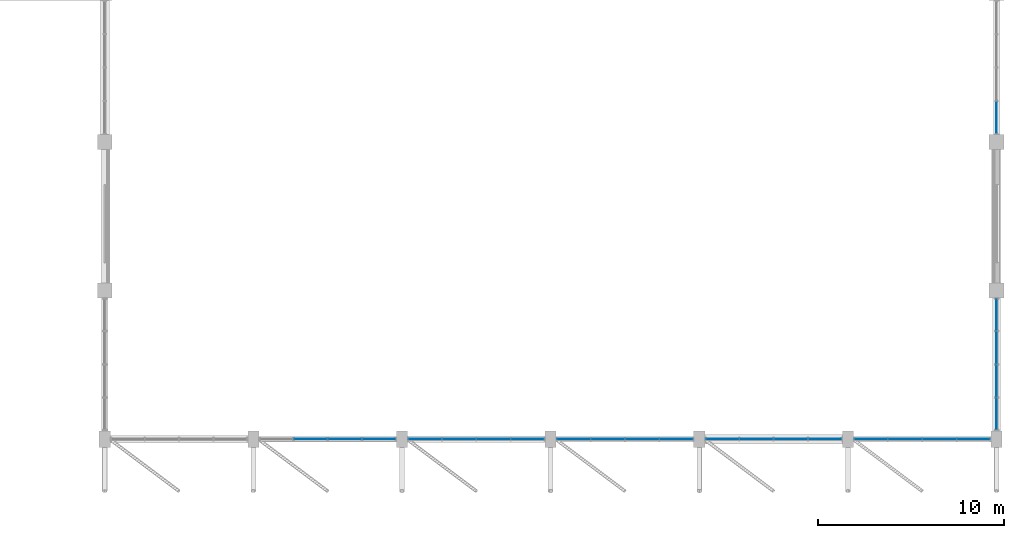
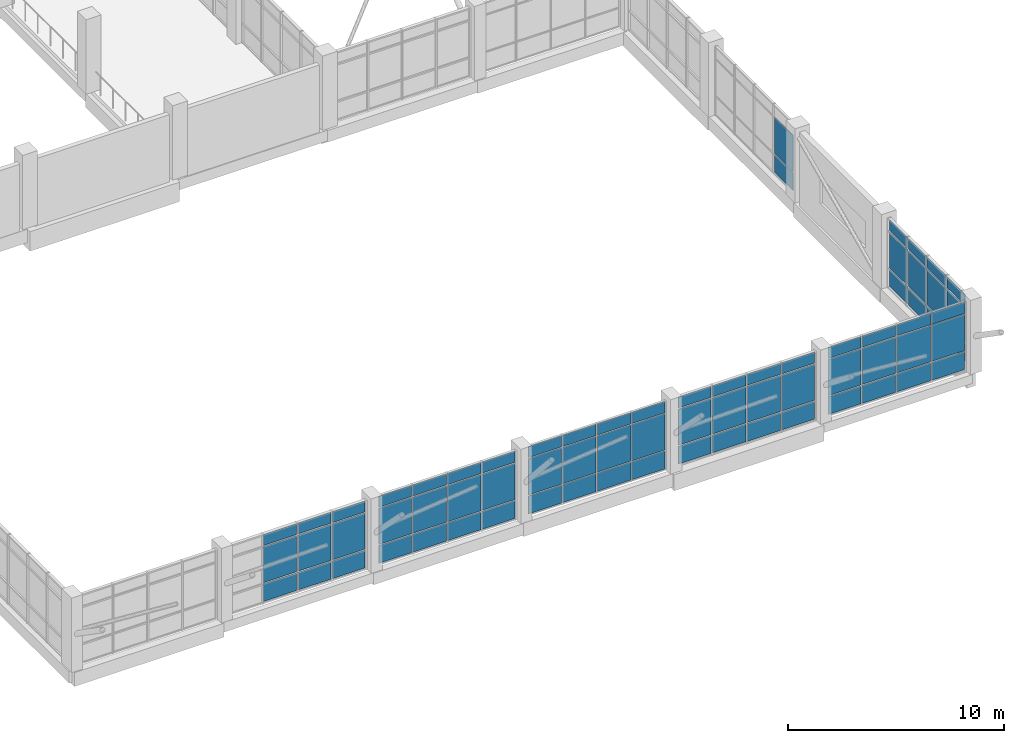
# One storey, part 67 of 84: 71 plates, 7 elements without a shape of their own.
"""IFC4 building model written with IfcOpenShell, lengths in metres."""

from ifc_helpers import new_model, si_unit, direction, frame, origin, origin_2d, place, context, subcontext, project, spatial, rectangle, extrude, material, layer, layer_set, type_object, element, aggregate, save


model = new_model("IFC4")

# Units and contexts
model_context = context("Model", 3, precision=1e-05, world=origin(), true_north=direction((0.0, 1.0)))
body_context = subcontext(model_context, "Body", "Model", "MODEL_VIEW")
ifc_project = project(units=[si_unit("LENGTHUNIT", "METRE"), si_unit("AREAUNIT", "SQUARE_METRE"), si_unit("VOLUMEUNIT", "CUBIC_METRE"), si_unit("PLANEANGLEUNIT", "RADIAN"), si_unit("MASSUNIT", "GRAM", prefix="KILO")], contexts=[model_context])

# Site, building, storey
site_placement = place(None, origin())
site = spatial("IfcSite", under=ifc_project, at=site_placement, CompositionType="ELEMENT")
building_placement = place(site_placement, origin())
building = spatial("IfcBuilding", under=site, at=building_placement, Name="Tenunan Teduh Sports Hall", CompositionType="ELEMENT")
storey_placement = place(building_placement, frame((0.0, 0.0, 10.800048828125)))
storey = spatial("IfcBuildingStorey", under=building, at=storey_placement, Name="L02", CompositionType="ELEMENT", Elevation=10.800048828125)

# Curtain wall, plates
ifc_material_1 = material(Name="Anodised aluminium", Category="aluminium")
curtain_wall_type_1 = type_object("IfcCurtainWallType", Name="CW-CLER-1", PredefinedType="NOTDEFINED", material=ifc_material_1)
curtain_wall_1_placement = place(storey_placement, origin())
curtain_wall_1 = element("IfcCurtainWall", 1, at=curtain_wall_1_placement, inside=storey, type_object=curtain_wall_type_1, Name="CW-CWM-175-L02-022", PredefinedType="NOTDEFINED")
ifc_material_2 = material(Name="Low-E laminated double glazing", Category="glass")
ifc_layer_1 = layer(ifc_material_2, 0.028076171875)
ifc_layer_set_1 = layer_set([ifc_layer_1], Name="Low-E laminated double glazing")
plate_type_1 = type_object("IfcPlateType", Name="CWP-GLZ-28", PredefinedType="CURTAIN_PANEL", material=ifc_layer_set_1)
plate_1_placement = place(storey_placement, frame((139.2412109375, 14.0, 1.13232421875), z_axis=(0.0, 0.0, 1.0), x_axis=(1.0, 0.0, 0.0)))
plate_1 = element("IfcPlate", 2, at=plate_1_placement, type_object=plate_type_1, Name="CW-03 panel 1.2", PredefinedType="CURTAIN_PANEL", context=body_context, shape_type="SweptSolid", body=[
    extrude(rectangle(XDim=1.75244140625, YDim=0.028076171875, at=origin_2d()), origin(), (0.0, 0.0, 1.0), 2.034912109375),
])
plate_2_placement = place(storey_placement, frame((139.2412109375, 14.0, 3.232421875), z_axis=(0.0, 0.0, 1.0), x_axis=(1.0, 0.0, 0.0)))
plate_2 = element("IfcPlate", 3, at=plate_2_placement, type_object=plate_type_1, Name="CW-03 panel 1.3", PredefinedType="CURTAIN_PANEL", context=body_context, shape_type="SweptSolid", body=[
    extrude(rectangle(XDim=1.75244140625, YDim=0.028076171875, at=origin_2d()), origin(), (0.0, 0.0, 1.0), 0.62255859375),
])
plate_3_placement = place(storey_placement, frame((141.074951171875, 14.0, 1.13232421875), z_axis=(0.0, 0.0, 1.0), x_axis=(1.0, 0.0, 0.0)))
plate_3 = element("IfcPlate", 4, at=plate_3_placement, type_object=plate_type_1, Name="CW-03 panel 2.2", PredefinedType="CURTAIN_PANEL", context=body_context, shape_type="SweptSolid", body=[
    extrude(rectangle(XDim=1.784912109375, YDim=0.028076171875, at=origin_2d()), origin(), (0.0, 0.0, 1.0), 2.034912109375),
])
plate_4_placement = place(storey_placement, frame((141.074951171875, 14.0, 3.232421875), z_axis=(0.0, 0.0, 1.0), x_axis=(1.0, 0.0, 0.0)))
plate_4 = element("IfcPlate", 5, at=plate_4_placement, type_object=plate_type_1, Name="CW-03 panel 2.3", PredefinedType="CURTAIN_PANEL", context=body_context, shape_type="SweptSolid", body=[
    extrude(rectangle(XDim=1.784912109375, YDim=0.028076171875, at=origin_2d()), origin(), (0.0, 0.0, 1.0), 0.62255859375),
])
plate_5_placement = place(storey_placement, frame((142.925048828125, 14.0, 1.13232421875), z_axis=(0.0, 0.0, 1.0), x_axis=(1.0, 0.0, 0.0)))
plate_5 = element("IfcPlate", 6, at=plate_5_placement, type_object=plate_type_1, Name="CW-03 panel 3.2", PredefinedType="CURTAIN_PANEL", context=body_context, shape_type="SweptSolid", body=[
    extrude(rectangle(XDim=1.784912109375, YDim=0.028076171875, at=origin_2d()), origin(), (0.0, 0.0, 1.0), 2.034912109375),
])
plate_6_placement = place(storey_placement, frame((142.925048828125, 14.0, 3.232421875), z_axis=(0.0, 0.0, 1.0), x_axis=(1.0, 0.0, 0.0)))
plate_6 = element("IfcPlate", 7, at=plate_6_placement, type_object=plate_type_1, Name="CW-03 panel 3.3", PredefinedType="CURTAIN_PANEL", context=body_context, shape_type="SweptSolid", body=[
    extrude(rectangle(XDim=1.784912109375, YDim=0.028076171875, at=origin_2d()), origin(), (0.0, 0.0, 1.0), 0.62255859375),
])
plate_7_placement = place(storey_placement, frame((144.7587890625, 14.0, 1.13232421875), z_axis=(0.0, 0.0, 1.0), x_axis=(1.0, 0.0, 0.0)))
plate_7 = element("IfcPlate", 8, at=plate_7_placement, type_object=plate_type_1, Name="CW-03 panel 4.2", PredefinedType="CURTAIN_PANEL", context=body_context, shape_type="SweptSolid", body=[
    extrude(rectangle(XDim=1.75244140625, YDim=0.028076171875, at=origin_2d()), origin(), (0.0, 0.0, 1.0), 2.034912109375),
])
plate_8_placement = place(storey_placement, frame((144.7587890625, 14.0, 3.232421875), z_axis=(0.0, 0.0, 1.0), x_axis=(1.0, 0.0, 0.0)))
plate_8 = element("IfcPlate", 9, at=plate_8_placement, type_object=plate_type_1, Name="CW-03 panel 4.3", PredefinedType="CURTAIN_PANEL", context=body_context, shape_type="SweptSolid", body=[
    extrude(rectangle(XDim=1.75244140625, YDim=0.028076171875, at=origin_2d()), origin(), (0.0, 0.0, 1.0), 0.62255859375),
])

curtain_wall_2_placement = place(storey_placement, origin())
curtain_wall_2 = element("IfcCurtainWall", 10, at=curtain_wall_2_placement, inside=storey, type_object=curtain_wall_type_1, Name="CW-CWM-200-L02-024", PredefinedType="NOTDEFINED")
plate_9_placement = place(storey_placement, frame((155.242431640625, 14.0, 1.134765625), z_axis=(0.0, 0.0, 1.0), x_axis=(1.0, 0.0, 0.0)))
plate_9 = element("IfcPlate", 11, at=plate_9_placement, type_object=plate_type_1, Name="CW-03 panel 1.2", PredefinedType="CURTAIN_PANEL", context=body_context, shape_type="SweptSolid", body=[
    extrude(rectangle(XDim=1.7451171875, YDim=0.028076171875, at=origin_2d()), origin(), (0.0, 0.0, 1.0), 2.030029296875),
])
plate_10_placement = place(storey_placement, frame((155.242431640625, 14.0, 3.23486328125), z_axis=(0.0, 0.0, 1.0), x_axis=(1.0, 0.0, 0.0)))
plate_10 = element("IfcPlate", 12, at=plate_10_placement, type_object=plate_type_1, Name="CW-03 panel 1.3", PredefinedType="CURTAIN_PANEL", context=body_context, shape_type="SweptSolid", body=[
    extrude(rectangle(XDim=1.7451171875, YDim=0.028076171875, at=origin_2d()), origin(), (0.0, 0.0, 1.0), 0.614990234375),
])
plate_11_placement = place(storey_placement, frame((157.074951171875, 14.0, 1.134765625), z_axis=(0.0, 0.0, 1.0), x_axis=(1.0, 0.0, 0.0)))
plate_11 = element("IfcPlate", 13, at=plate_11_placement, type_object=plate_type_1, Name="CW-03 panel 2.2", PredefinedType="CURTAIN_PANEL", context=body_context, shape_type="SweptSolid", body=[
    extrude(rectangle(XDim=1.780029296875, YDim=0.028076171875, at=origin_2d()), origin(), (0.0, 0.0, 1.0), 2.030029296875),
])
plate_12_placement = place(storey_placement, frame((157.074951171875, 14.0, 3.23486328125), z_axis=(0.0, 0.0, 1.0), x_axis=(1.0, 0.0, 0.0)))
plate_12 = element("IfcPlate", 14, at=plate_12_placement, type_object=plate_type_1, Name="CW-03 panel 2.3", PredefinedType="CURTAIN_PANEL", context=body_context, shape_type="SweptSolid", body=[
    extrude(rectangle(XDim=1.780029296875, YDim=0.028076171875, at=origin_2d()), origin(), (0.0, 0.0, 1.0), 0.614990234375),
])
plate_13_placement = place(storey_placement, frame((158.925048828125, 14.0, 1.134765625), z_axis=(0.0, 0.0, 1.0), x_axis=(1.0, 0.0, 0.0)))
plate_13 = element("IfcPlate", 15, at=plate_13_placement, type_object=plate_type_1, Name="CW-03 panel 3.2", PredefinedType="CURTAIN_PANEL", context=body_context, shape_type="SweptSolid", body=[
    extrude(rectangle(XDim=1.780029296875, YDim=0.028076171875, at=origin_2d()), origin(), (0.0, 0.0, 1.0), 2.030029296875),
])
plate_14_placement = place(storey_placement, frame((158.925048828125, 14.0, 3.23486328125), z_axis=(0.0, 0.0, 1.0), x_axis=(1.0, 0.0, 0.0)))
plate_14 = element("IfcPlate", 16, at=plate_14_placement, type_object=plate_type_1, Name="CW-03 panel 3.3", PredefinedType="CURTAIN_PANEL", context=body_context, shape_type="SweptSolid", body=[
    extrude(rectangle(XDim=1.780029296875, YDim=0.028076171875, at=origin_2d()), origin(), (0.0, 0.0, 1.0), 0.614990234375),
])
plate_15_placement = place(storey_placement, frame((160.757568359375, 14.0, 1.134765625), z_axis=(0.0, 0.0, 1.0), x_axis=(1.0, 0.0, 0.0)))
plate_15 = element("IfcPlate", 17, at=plate_15_placement, type_object=plate_type_1, Name="CW-03 panel 4.2", PredefinedType="CURTAIN_PANEL", context=body_context, shape_type="SweptSolid", body=[
    extrude(rectangle(XDim=1.7451171875, YDim=0.028076171875, at=origin_2d()), origin(), (0.0, 0.0, 1.0), 2.030029296875),
])
plate_16_placement = place(storey_placement, frame((160.757568359375, 14.0, 3.23486328125), z_axis=(0.0, 0.0, 1.0), x_axis=(1.0, 0.0, 0.0)))
plate_16 = element("IfcPlate", 18, at=plate_16_placement, type_object=plate_type_1, Name="CW-03 panel 4.3", PredefinedType="CURTAIN_PANEL", context=body_context, shape_type="SweptSolid", body=[
    extrude(rectangle(XDim=1.7451171875, YDim=0.028076171875, at=origin_2d()), origin(), (0.0, 0.0, 1.0), 0.614990234375),
])

curtain_wall_3_placement = place(storey_placement, origin())
curtain_wall_3 = element("IfcCurtainWall", 19, at=curtain_wall_3_placement, inside=storey, type_object=curtain_wall_type_1, Name="CW-CWM-175-L02-026", PredefinedType="NOTDEFINED")
plate_17_placement = place(storey_placement, frame((163.2412109375, 14.0, 1.13232421875), z_axis=(0.0, 0.0, 1.0), x_axis=(1.0, 0.0, 0.0)))
plate_17 = element("IfcPlate", 20, at=plate_17_placement, type_object=plate_type_1, Name="CW-03 panel 1.2", PredefinedType="CURTAIN_PANEL", context=body_context, shape_type="SweptSolid", body=[
    extrude(rectangle(XDim=1.75244140625, YDim=0.028076171875, at=origin_2d()), origin(), (0.0, 0.0, 1.0), 2.034912109375),
])
plate_18_placement = place(storey_placement, frame((163.2412109375, 14.0, 3.232421875), z_axis=(0.0, 0.0, 1.0), x_axis=(1.0, 0.0, 0.0)))
plate_18 = element("IfcPlate", 21, at=plate_18_placement, type_object=plate_type_1, Name="CW-03 panel 1.3", PredefinedType="CURTAIN_PANEL", context=body_context, shape_type="SweptSolid", body=[
    extrude(rectangle(XDim=1.75244140625, YDim=0.028076171875, at=origin_2d()), origin(), (0.0, 0.0, 1.0), 0.62255859375),
])
plate_19_placement = place(storey_placement, frame((165.074951171875, 14.0, 1.13232421875), z_axis=(0.0, 0.0, 1.0), x_axis=(1.0, 0.0, 0.0)))
plate_19 = element("IfcPlate", 22, at=plate_19_placement, type_object=plate_type_1, Name="CW-03 panel 2.2", PredefinedType="CURTAIN_PANEL", context=body_context, shape_type="SweptSolid", body=[
    extrude(rectangle(XDim=1.784912109375, YDim=0.028076171875, at=origin_2d()), origin(), (0.0, 0.0, 1.0), 2.034912109375),
])
plate_20_placement = place(storey_placement, frame((165.074951171875, 14.0, 3.232421875), z_axis=(0.0, 0.0, 1.0), x_axis=(1.0, 0.0, 0.0)))
plate_20 = element("IfcPlate", 23, at=plate_20_placement, type_object=plate_type_1, Name="CW-03 panel 2.3", PredefinedType="CURTAIN_PANEL", context=body_context, shape_type="SweptSolid", body=[
    extrude(rectangle(XDim=1.784912109375, YDim=0.028076171875, at=origin_2d()), origin(), (0.0, 0.0, 1.0), 0.62255859375),
])
plate_21_placement = place(storey_placement, frame((166.925048828125, 14.0, 1.13232421875), z_axis=(0.0, 0.0, 1.0), x_axis=(1.0, 0.0, 0.0)))
plate_21 = element("IfcPlate", 24, at=plate_21_placement, type_object=plate_type_1, Name="CW-03 panel 3.2", PredefinedType="CURTAIN_PANEL", context=body_context, shape_type="SweptSolid", body=[
    extrude(rectangle(XDim=1.784912109375, YDim=0.028076171875, at=origin_2d()), origin(), (0.0, 0.0, 1.0), 2.034912109375),
])
plate_22_placement = place(storey_placement, frame((166.925048828125, 14.0, 3.232421875), z_axis=(0.0, 0.0, 1.0), x_axis=(1.0, 0.0, 0.0)))
plate_22 = element("IfcPlate", 25, at=plate_22_placement, type_object=plate_type_1, Name="CW-03 panel 3.3", PredefinedType="CURTAIN_PANEL", context=body_context, shape_type="SweptSolid", body=[
    extrude(rectangle(XDim=1.784912109375, YDim=0.028076171875, at=origin_2d()), origin(), (0.0, 0.0, 1.0), 0.62255859375),
])
plate_23_placement = place(storey_placement, frame((168.7587890625, 14.0, 1.13232421875), z_axis=(0.0, 0.0, 1.0), x_axis=(1.0, 0.0, 0.0)))
plate_23 = element("IfcPlate", 26, at=plate_23_placement, type_object=plate_type_1, Name="CW-03 panel 4.2", PredefinedType="CURTAIN_PANEL", context=body_context, shape_type="SweptSolid", body=[
    extrude(rectangle(XDim=1.75244140625, YDim=0.028076171875, at=origin_2d()), origin(), (0.0, 0.0, 1.0), 2.034912109375),
])
plate_24_placement = place(storey_placement, frame((168.7587890625, 14.0, 3.232421875), z_axis=(0.0, 0.0, 1.0), x_axis=(1.0, 0.0, 0.0)))
plate_24 = element("IfcPlate", 27, at=plate_24_placement, type_object=plate_type_1, Name="CW-03 panel 4.3", PredefinedType="CURTAIN_PANEL", context=body_context, shape_type="SweptSolid", body=[
    extrude(rectangle(XDim=1.75244140625, YDim=0.028076171875, at=origin_2d()), origin(), (0.0, 0.0, 1.0), 0.62255859375),
])

curtain_wall_4_placement = place(storey_placement, origin())
curtain_wall_4 = element("IfcCurtainWall", 28, at=curtain_wall_4_placement, inside=storey, type_object=curtain_wall_type_1, Name="CW-CWM-220-L02-021", PredefinedType="NOTDEFINED")
ifc_material_3 = material(Name="Solar-control laminated glazing", Category="glass")
ifc_layer_2 = layer(ifc_material_3, 0.031982421875)
ifc_layer_set_2 = layer_set([ifc_layer_2], Name="Solar-control laminated glazing")
plate_type_2 = type_object("IfcPlateType", Name="CWP-GLZ-32", PredefinedType="CURTAIN_PANEL", material=ifc_layer_set_2)
plate_25_placement = place(storey_placement, frame((133.074951171875, 14.0, 1.137451171875), z_axis=(0.0, 0.0, 1.0), x_axis=(1.0, 0.0, 0.0)))
plate_25 = element("IfcPlate", 29, at=plate_25_placement, type_object=plate_type_2, Name="CW-03 panel 2.2", PredefinedType="CURTAIN_PANEL", context=body_context, shape_type="SweptSolid", body=[
    extrude(rectangle(XDim=1.77490234375, YDim=0.031982421875, at=origin_2d()), origin(), (0.0, 0.0, 1.0), 2.02490234375),
])
plate_26_placement = place(storey_placement, frame((133.074951171875, 14.0, 3.237548828125), z_axis=(0.0, 0.0, 1.0), x_axis=(1.0, 0.0, 0.0)))
plate_26 = element("IfcPlate", 30, at=plate_26_placement, type_object=plate_type_2, Name="CW-03 panel 2.3", PredefinedType="CURTAIN_PANEL", context=body_context, shape_type="SweptSolid", body=[
    extrude(rectangle(XDim=1.77490234375, YDim=0.031982421875, at=origin_2d()), origin(), (0.0, 0.0, 1.0), 0.607421875),
])
plate_27_placement = place(storey_placement, frame((134.925048828125, 14.0, 1.137451171875), z_axis=(0.0, 0.0, 1.0), x_axis=(1.0, 0.0, 0.0)))
plate_27 = element("IfcPlate", 31, at=plate_27_placement, type_object=plate_type_2, Name="CW-03 panel 3.2", PredefinedType="CURTAIN_PANEL", context=body_context, shape_type="SweptSolid", body=[
    extrude(rectangle(XDim=1.77490234375, YDim=0.031982421875, at=origin_2d()), origin(), (0.0, 0.0, 1.0), 2.02490234375),
])
plate_28_placement = place(storey_placement, frame((134.925048828125, 14.0, 3.237548828125), z_axis=(0.0, 0.0, 1.0), x_axis=(1.0, 0.0, 0.0)))
plate_28 = element("IfcPlate", 32, at=plate_28_placement, type_object=plate_type_2, Name="CW-03 panel 3.3", PredefinedType="CURTAIN_PANEL", context=body_context, shape_type="SweptSolid", body=[
    extrude(rectangle(XDim=1.77490234375, YDim=0.031982421875, at=origin_2d()), origin(), (0.0, 0.0, 1.0), 0.607421875),
])
plate_29_placement = place(storey_placement, frame((136.75634765625, 14.0, 1.137451171875), z_axis=(0.0, 0.0, 1.0), x_axis=(1.0, 0.0, 0.0)))
plate_29 = element("IfcPlate", 33, at=plate_29_placement, type_object=plate_type_2, Name="CW-03 panel 4.2", PredefinedType="CURTAIN_PANEL", context=body_context, shape_type="SweptSolid", body=[
    extrude(rectangle(XDim=1.737548828125, YDim=0.031982421875, at=origin_2d()), origin(), (0.0, 0.0, 1.0), 2.02490234375),
])
plate_30_placement = place(storey_placement, frame((136.75634765625, 14.0, 3.237548828125), z_axis=(0.0, 0.0, 1.0), x_axis=(1.0, 0.0, 0.0)))
plate_30 = element("IfcPlate", 34, at=plate_30_placement, type_object=plate_type_2, Name="CW-03 panel 4.3", PredefinedType="CURTAIN_PANEL", context=body_context, shape_type="SweptSolid", body=[
    extrude(rectangle(XDim=1.737548828125, YDim=0.031982421875, at=origin_2d()), origin(), (0.0, 0.0, 1.0), 0.607421875),
])

curtain_wall_5_placement = place(storey_placement, origin())
curtain_wall_5 = element("IfcCurtainWall", 35, at=curtain_wall_5_placement, inside=storey, type_object=curtain_wall_type_1, Name="CW-CWM-150-L02-023", PredefinedType="NOTDEFINED")
plate_31_placement = place(storey_placement, frame((147.239990234375, 14.0, 1.1298828125), z_axis=(0.0, 0.0, 1.0), x_axis=(1.0, 0.0, 0.0)))
plate_31 = element("IfcPlate", 36, at=plate_31_placement, type_object=plate_type_2, Name="CW-03 panel 1.2", PredefinedType="CURTAIN_PANEL", context=body_context, shape_type="SweptSolid", body=[
    extrude(rectangle(XDim=1.760009765625, YDim=0.031982421875, at=origin_2d()), origin(), (0.0, 0.0, 1.0), 2.0400390625),
])
plate_32_placement = place(storey_placement, frame((147.239990234375, 14.0, 3.22998046875), z_axis=(0.0, 0.0, 1.0), x_axis=(1.0, 0.0, 0.0)))
plate_32 = element("IfcPlate", 37, at=plate_32_placement, type_object=plate_type_2, Name="CW-03 panel 1.3", PredefinedType="CURTAIN_PANEL", context=body_context, shape_type="SweptSolid", body=[
    extrude(rectangle(XDim=1.760009765625, YDim=0.031982421875, at=origin_2d()), origin(), (0.0, 0.0, 1.0), 0.6298828125),
])
plate_33_placement = place(storey_placement, frame((149.074951171875, 14.0, 1.1298828125), z_axis=(0.0, 0.0, 1.0), x_axis=(1.0, 0.0, 0.0)))
plate_33 = element("IfcPlate", 38, at=plate_33_placement, type_object=plate_type_2, Name="CW-03 panel 2.2", PredefinedType="CURTAIN_PANEL", context=body_context, shape_type="SweptSolid", body=[
    extrude(rectangle(XDim=1.7900390625, YDim=0.031982421875, at=origin_2d()), origin(), (0.0, 0.0, 1.0), 2.0400390625),
])
plate_34_placement = place(storey_placement, frame((149.074951171875, 14.0, 3.22998046875), z_axis=(0.0, 0.0, 1.0), x_axis=(1.0, 0.0, 0.0)))
plate_34 = element("IfcPlate", 39, at=plate_34_placement, type_object=plate_type_2, Name="CW-03 panel 2.3", PredefinedType="CURTAIN_PANEL", context=body_context, shape_type="SweptSolid", body=[
    extrude(rectangle(XDim=1.7900390625, YDim=0.031982421875, at=origin_2d()), origin(), (0.0, 0.0, 1.0), 0.6298828125),
])
plate_35_placement = place(storey_placement, frame((150.925048828125, 14.0, 1.1298828125), z_axis=(0.0, 0.0, 1.0), x_axis=(1.0, 0.0, 0.0)))
plate_35 = element("IfcPlate", 40, at=plate_35_placement, type_object=plate_type_2, Name="CW-03 panel 3.2", PredefinedType="CURTAIN_PANEL", context=body_context, shape_type="SweptSolid", body=[
    extrude(rectangle(XDim=1.7900390625, YDim=0.031982421875, at=origin_2d()), origin(), (0.0, 0.0, 1.0), 2.0400390625),
])
plate_36_placement = place(storey_placement, frame((150.925048828125, 14.0, 3.22998046875), z_axis=(0.0, 0.0, 1.0), x_axis=(1.0, 0.0, 0.0)))
plate_36 = element("IfcPlate", 41, at=plate_36_placement, type_object=plate_type_2, Name="CW-03 panel 3.3", PredefinedType="CURTAIN_PANEL", context=body_context, shape_type="SweptSolid", body=[
    extrude(rectangle(XDim=1.7900390625, YDim=0.031982421875, at=origin_2d()), origin(), (0.0, 0.0, 1.0), 0.6298828125),
])
plate_37_placement = place(storey_placement, frame((152.760009765625, 14.0, 1.1298828125), z_axis=(0.0, 0.0, 1.0), x_axis=(1.0, 0.0, 0.0)))
plate_37 = element("IfcPlate", 42, at=plate_37_placement, type_object=plate_type_2, Name="CW-03 panel 4.2", PredefinedType="CURTAIN_PANEL", context=body_context, shape_type="SweptSolid", body=[
    extrude(rectangle(XDim=1.760009765625, YDim=0.031982421875, at=origin_2d()), origin(), (0.0, 0.0, 1.0), 2.0400390625),
])
plate_38_placement = place(storey_placement, frame((152.760009765625, 14.0, 3.22998046875), z_axis=(0.0, 0.0, 1.0), x_axis=(1.0, 0.0, 0.0)))
plate_38 = element("IfcPlate", 43, at=plate_38_placement, type_object=plate_type_2, Name="CW-03 panel 4.3", PredefinedType="CURTAIN_PANEL", context=body_context, shape_type="SweptSolid", body=[
    extrude(rectangle(XDim=1.760009765625, YDim=0.031982421875, at=origin_2d()), origin(), (0.0, 0.0, 1.0), 0.6298828125),
])

ifc_material_4 = material(Name="Anodised aluminium", Category="aluminium")
curtain_wall_type_2 = type_object("IfcCurtainWallType", Name="CW-UNIT-2", PredefinedType="NOTDEFINED", material=ifc_material_4)
curtain_wall_6_placement = place(storey_placement, origin())
curtain_wall_6 = element("IfcCurtainWall", 44, at=curtain_wall_6_placement, inside=storey, type_object=curtain_wall_type_2, Name="CW-CWM-220-L02-029", PredefinedType="NOTDEFINED")
plate_39_placement = place(storey_placement, frame((170.0, 15.362548828125, 1.137451171875), z_axis=(0.0, 0.0, 1.0), x_axis=(0.0, 1.0, 0.0)))
plate_39 = element("IfcPlate", 45, at=plate_39_placement, type_object=plate_type_2, Name="CW-02 panel 1.2", PredefinedType="CURTAIN_PANEL", context=body_context, shape_type="SweptSolid", body=[
    extrude(rectangle(XDim=1.675048828125, YDim=0.031982421875, at=origin_2d()), origin(), (0.0, 0.0, 1.0), 2.02490234375),
])
plate_40_placement = place(storey_placement, frame((170.0, 15.362548828125, 3.237548828125), z_axis=(0.0, 0.0, 1.0), x_axis=(0.0, 1.0, 0.0)))
plate_40 = element("IfcPlate", 46, at=plate_40_placement, type_object=plate_type_2, Name="CW-02 panel 1.3", PredefinedType="CURTAIN_PANEL", context=body_context, shape_type="SweptSolid", body=[
    extrude(rectangle(XDim=1.675048828125, YDim=0.031982421875, at=origin_2d()), origin(), (0.0, 0.0, 1.0), 0.607421875),
])
plate_41_placement = place(storey_placement, frame((170.0, 17.13134765625, 1.137451171875), z_axis=(0.0, 0.0, 1.0), x_axis=(0.0, 1.0, 0.0)))
plate_41 = element("IfcPlate", 47, at=plate_41_placement, type_object=plate_type_2, Name="CW-02 panel 2.2", PredefinedType="CURTAIN_PANEL", context=body_context, shape_type="SweptSolid", body=[
    extrude(rectangle(XDim=1.71240234375, YDim=0.031982421875, at=origin_2d()), origin(), (0.0, 0.0, 1.0), 2.02490234375),
])
plate_42_placement = place(storey_placement, frame((170.0, 17.13134765625, 3.237548828125), z_axis=(0.0, 0.0, 1.0), x_axis=(0.0, 1.0, 0.0)))
plate_42 = element("IfcPlate", 48, at=plate_42_placement, type_object=plate_type_2, Name="CW-02 panel 2.3", PredefinedType="CURTAIN_PANEL", context=body_context, shape_type="SweptSolid", body=[
    extrude(rectangle(XDim=1.71240234375, YDim=0.031982421875, at=origin_2d()), origin(), (0.0, 0.0, 1.0), 0.607421875),
])
plate_43_placement = place(storey_placement, frame((170.0, 18.918701171875, 1.137451171875), z_axis=(0.0, 0.0, 1.0), x_axis=(0.0, 1.0, 0.0)))
plate_43 = element("IfcPlate", 49, at=plate_43_placement, type_object=plate_type_2, Name="CW-02 panel 3.2", PredefinedType="CURTAIN_PANEL", context=body_context, shape_type="SweptSolid", body=[
    extrude(rectangle(XDim=1.71240234375, YDim=0.031982421875, at=origin_2d()), origin(), (0.0, 0.0, 1.0), 2.02490234375),
])
plate_44_placement = place(storey_placement, frame((170.0, 18.918701171875, 3.237548828125), z_axis=(0.0, 0.0, 1.0), x_axis=(0.0, 1.0, 0.0)))
plate_44 = element("IfcPlate", 50, at=plate_44_placement, type_object=plate_type_2, Name="CW-02 panel 3.3", PredefinedType="CURTAIN_PANEL", context=body_context, shape_type="SweptSolid", body=[
    extrude(rectangle(XDim=1.71240234375, YDim=0.031982421875, at=origin_2d()), origin(), (0.0, 0.0, 1.0), 0.607421875),
])
plate_45_placement = place(storey_placement, frame((170.0, 20.6875, 1.137451171875), z_axis=(0.0, 0.0, 1.0), x_axis=(0.0, 1.0, 0.0)))
plate_45 = element("IfcPlate", 51, at=plate_45_placement, type_object=plate_type_2, Name="CW-02 panel 4.2", PredefinedType="CURTAIN_PANEL", context=body_context, shape_type="SweptSolid", body=[
    extrude(rectangle(XDim=1.675048828125, YDim=0.031982421875, at=origin_2d()), origin(), (0.0, 0.0, 1.0), 2.02490234375),
])
plate_46_placement = place(storey_placement, frame((170.0, 20.6875, 3.237548828125), z_axis=(0.0, 0.0, 1.0), x_axis=(0.0, 1.0, 0.0)))
plate_46 = element("IfcPlate", 52, at=plate_46_placement, type_object=plate_type_2, Name="CW-02 panel 4.3", PredefinedType="CURTAIN_PANEL", context=body_context, shape_type="SweptSolid", body=[
    extrude(rectangle(XDim=1.675048828125, YDim=0.031982421875, at=origin_2d()), origin(), (0.0, 0.0, 1.0), 0.607421875),
])

# Curtain wall, plate
curtain_wall_7_placement = place(storey_placement, origin())
curtain_wall_7 = element("IfcCurtainWall", 53, at=curtain_wall_7_placement, inside=storey, type_object=curtain_wall_type_2, Name="CW-CWM-150-L02-031", PredefinedType="NOTDEFINED")
plate_47_placement = place(storey_placement, frame((170.0, 31.31494140625, 1.1298828125), z_axis=(0.0, 0.0, 1.0), x_axis=(0.0, 1.0, 0.0)))
plate_47 = element("IfcPlate", 54, at=plate_47_placement, type_object=plate_type_2, Name="CW-02 panel 1.2", PredefinedType="CURTAIN_PANEL", context=body_context, shape_type="SweptSolid", body=[
    extrude(rectangle(XDim=1.7099609375, YDim=0.031982421875, at=origin_2d()), origin(), (0.0, 0.0, 1.0), 2.0400390625),
])

# Plate
ifc_material_5 = material(Name="Insulated aluminium spandrel panel", Category="aluminium")
ifc_layer_3 = layer(ifc_material_5, 0.044921875)
ifc_layer_set_3 = layer_set([ifc_layer_3], Name="Insulated aluminium spandrel panel")
plate_type_3 = type_object("IfcPlateType", Name="CWP-SPN-45", PredefinedType="CURTAIN_PANEL", material=ifc_layer_set_3)
plate_48_placement = place(storey_placement, frame((133.074951171875, 14.0, 0.07470703125), z_axis=(0.0, 0.0, 1.0), x_axis=(1.0, 0.0, 0.0)))
plate_48 = element("IfcPlate", 55, at=plate_48_placement, type_object=plate_type_3, Name="CW-03 panel 2.1", PredefinedType="CURTAIN_PANEL", context=body_context, shape_type="SweptSolid", body=[
    extrude(rectangle(XDim=1.77490234375, YDim=0.031982421875, at=origin_2d()), origin(), (0.0, 0.0, 1.0), 0.987548828125),
])

plate_49_placement = place(storey_placement, frame((134.925048828125, 14.0, 0.07470703125), z_axis=(0.0, 0.0, 1.0), x_axis=(1.0, 0.0, 0.0)))
plate_49 = element("IfcPlate", 56, at=plate_49_placement, type_object=plate_type_3, Name="CW-03 panel 3.1", PredefinedType="CURTAIN_PANEL", context=body_context, shape_type="SweptSolid", body=[
    extrude(rectangle(XDim=1.77490234375, YDim=0.031982421875, at=origin_2d()), origin(), (0.0, 0.0, 1.0), 0.987548828125),
])

plate_50_placement = place(storey_placement, frame((136.75634765625, 14.0, 0.07470703125), z_axis=(0.0, 0.0, 1.0), x_axis=(1.0, 0.0, 0.0)))
plate_50 = element("IfcPlate", 57, at=plate_50_placement, type_object=plate_type_3, Name="CW-03 panel 4.1", PredefinedType="CURTAIN_PANEL", context=body_context, shape_type="SweptSolid", body=[
    extrude(rectangle(XDim=1.737548828125, YDim=0.031982421875, at=origin_2d()), origin(), (0.0, 0.0, 1.0), 0.987548828125),
])

aggregate(curtain_wall_4, [plate_48, plate_25, plate_26, plate_49, plate_27, plate_28, plate_50, plate_29, plate_30])

plate_51_placement = place(storey_placement, frame((139.2412109375, 14.0, 0.06494140625), z_axis=(0.0, 0.0, 1.0), x_axis=(1.0, 0.0, 0.0)))
plate_51 = element("IfcPlate", 58, at=plate_51_placement, type_object=plate_type_3, Name="CW-03 panel 1.1", PredefinedType="CURTAIN_PANEL", context=body_context, shape_type="SweptSolid", body=[
    extrude(rectangle(XDim=1.75244140625, YDim=0.028076171875, at=origin_2d()), origin(), (0.0, 0.0, 1.0), 1.00244140625),
])

plate_52_placement = place(storey_placement, frame((141.074951171875, 14.0, 0.06494140625), z_axis=(0.0, 0.0, 1.0), x_axis=(1.0, 0.0, 0.0)))
plate_52 = element("IfcPlate", 59, at=plate_52_placement, type_object=plate_type_3, Name="CW-03 panel 2.1", PredefinedType="CURTAIN_PANEL", context=body_context, shape_type="SweptSolid", body=[
    extrude(rectangle(XDim=1.784912109375, YDim=0.028076171875, at=origin_2d()), origin(), (0.0, 0.0, 1.0), 1.00244140625),
])

plate_53_placement = place(storey_placement, frame((142.925048828125, 14.0, 0.06494140625), z_axis=(0.0, 0.0, 1.0), x_axis=(1.0, 0.0, 0.0)))
plate_53 = element("IfcPlate", 60, at=plate_53_placement, type_object=plate_type_3, Name="CW-03 panel 3.1", PredefinedType="CURTAIN_PANEL", context=body_context, shape_type="SweptSolid", body=[
    extrude(rectangle(XDim=1.784912109375, YDim=0.028076171875, at=origin_2d()), origin(), (0.0, 0.0, 1.0), 1.00244140625),
])

plate_54_placement = place(storey_placement, frame((144.7587890625, 14.0, 0.06494140625), z_axis=(0.0, 0.0, 1.0), x_axis=(1.0, 0.0, 0.0)))
plate_54 = element("IfcPlate", 61, at=plate_54_placement, type_object=plate_type_3, Name="CW-03 panel 4.1", PredefinedType="CURTAIN_PANEL", context=body_context, shape_type="SweptSolid", body=[
    extrude(rectangle(XDim=1.75244140625, YDim=0.028076171875, at=origin_2d()), origin(), (0.0, 0.0, 1.0), 1.00244140625),
])

aggregate(curtain_wall_1, [plate_51, plate_1, plate_2, plate_52, plate_3, plate_4, plate_53, plate_5, plate_6, plate_54, plate_7, plate_8])

plate_55_placement = place(storey_placement, frame((147.239990234375, 14.0, 0.06005859375), z_axis=(0.0, 0.0, 1.0), x_axis=(1.0, 0.0, 0.0)))
plate_55 = element("IfcPlate", 62, at=plate_55_placement, type_object=plate_type_3, Name="CW-03 panel 1.1", PredefinedType="CURTAIN_PANEL", context=body_context, shape_type="SweptSolid", body=[
    extrude(rectangle(XDim=1.760009765625, YDim=0.031982421875, at=origin_2d()), origin(), (0.0, 0.0, 1.0), 1.010009765625),
])

plate_56_placement = place(storey_placement, frame((149.074951171875, 14.0, 0.06005859375), z_axis=(0.0, 0.0, 1.0), x_axis=(1.0, 0.0, 0.0)))
plate_56 = element("IfcPlate", 63, at=plate_56_placement, type_object=plate_type_3, Name="CW-03 panel 2.1", PredefinedType="CURTAIN_PANEL", context=body_context, shape_type="SweptSolid", body=[
    extrude(rectangle(XDim=1.7900390625, YDim=0.031982421875, at=origin_2d()), origin(), (0.0, 0.0, 1.0), 1.010009765625),
])

plate_57_placement = place(storey_placement, frame((150.925048828125, 14.0, 0.06005859375), z_axis=(0.0, 0.0, 1.0), x_axis=(1.0, 0.0, 0.0)))
plate_57 = element("IfcPlate", 64, at=plate_57_placement, type_object=plate_type_3, Name="CW-03 panel 3.1", PredefinedType="CURTAIN_PANEL", context=body_context, shape_type="SweptSolid", body=[
    extrude(rectangle(XDim=1.7900390625, YDim=0.031982421875, at=origin_2d()), origin(), (0.0, 0.0, 1.0), 1.010009765625),
])

plate_58_placement = place(storey_placement, frame((152.760009765625, 14.0, 0.06005859375), z_axis=(0.0, 0.0, 1.0), x_axis=(1.0, 0.0, 0.0)))
plate_58 = element("IfcPlate", 65, at=plate_58_placement, type_object=plate_type_3, Name="CW-03 panel 4.1", PredefinedType="CURTAIN_PANEL", context=body_context, shape_type="SweptSolid", body=[
    extrude(rectangle(XDim=1.760009765625, YDim=0.031982421875, at=origin_2d()), origin(), (0.0, 0.0, 1.0), 1.010009765625),
])

aggregate(curtain_wall_5, [plate_55, plate_31, plate_32, plate_56, plate_33, plate_34, plate_57, plate_35, plate_36, plate_58, plate_37, plate_38])

plate_59_placement = place(storey_placement, frame((155.242431640625, 14.0, 0.06982421875), z_axis=(0.0, 0.0, 1.0), x_axis=(1.0, 0.0, 0.0)))
plate_59 = element("IfcPlate", 66, at=plate_59_placement, type_object=plate_type_3, Name="CW-03 panel 1.1", PredefinedType="CURTAIN_PANEL", context=body_context, shape_type="SweptSolid", body=[
    extrude(rectangle(XDim=1.7451171875, YDim=0.028076171875, at=origin_2d()), origin(), (0.0, 0.0, 1.0), 0.9951171875),
])

plate_60_placement = place(storey_placement, frame((157.074951171875, 14.0, 0.06982421875), z_axis=(0.0, 0.0, 1.0), x_axis=(1.0, 0.0, 0.0)))
plate_60 = element("IfcPlate", 67, at=plate_60_placement, type_object=plate_type_3, Name="CW-03 panel 2.1", PredefinedType="CURTAIN_PANEL", context=body_context, shape_type="SweptSolid", body=[
    extrude(rectangle(XDim=1.780029296875, YDim=0.028076171875, at=origin_2d()), origin(), (0.0, 0.0, 1.0), 0.9951171875),
])

plate_61_placement = place(storey_placement, frame((158.925048828125, 14.0, 0.06982421875), z_axis=(0.0, 0.0, 1.0), x_axis=(1.0, 0.0, 0.0)))
plate_61 = element("IfcPlate", 68, at=plate_61_placement, type_object=plate_type_3, Name="CW-03 panel 3.1", PredefinedType="CURTAIN_PANEL", context=body_context, shape_type="SweptSolid", body=[
    extrude(rectangle(XDim=1.780029296875, YDim=0.028076171875, at=origin_2d()), origin(), (0.0, 0.0, 1.0), 0.9951171875),
])

plate_62_placement = place(storey_placement, frame((160.757568359375, 14.0, 0.06982421875), z_axis=(0.0, 0.0, 1.0), x_axis=(1.0, 0.0, 0.0)))
plate_62 = element("IfcPlate", 69, at=plate_62_placement, type_object=plate_type_3, Name="CW-03 panel 4.1", PredefinedType="CURTAIN_PANEL", context=body_context, shape_type="SweptSolid", body=[
    extrude(rectangle(XDim=1.7451171875, YDim=0.028076171875, at=origin_2d()), origin(), (0.0, 0.0, 1.0), 0.9951171875),
])

aggregate(curtain_wall_2, [plate_59, plate_9, plate_10, plate_60, plate_11, plate_12, plate_61, plate_13, plate_14, plate_62, plate_15, plate_16])

plate_63_placement = place(storey_placement, frame((163.2412109375, 14.0, 0.06494140625), z_axis=(0.0, 0.0, 1.0), x_axis=(1.0, 0.0, 0.0)))
plate_63 = element("IfcPlate", 70, at=plate_63_placement, type_object=plate_type_3, Name="CW-03 panel 1.1", PredefinedType="CURTAIN_PANEL", context=body_context, shape_type="SweptSolid", body=[
    extrude(rectangle(XDim=1.75244140625, YDim=0.028076171875, at=origin_2d()), origin(), (0.0, 0.0, 1.0), 1.00244140625),
])

plate_64_placement = place(storey_placement, frame((165.074951171875, 14.0, 0.06494140625), z_axis=(0.0, 0.0, 1.0), x_axis=(1.0, 0.0, 0.0)))
plate_64 = element("IfcPlate", 71, at=plate_64_placement, type_object=plate_type_3, Name="CW-03 panel 2.1", PredefinedType="CURTAIN_PANEL", context=body_context, shape_type="SweptSolid", body=[
    extrude(rectangle(XDim=1.784912109375, YDim=0.028076171875, at=origin_2d()), origin(), (0.0, 0.0, 1.0), 1.00244140625),
])

plate_65_placement = place(storey_placement, frame((166.925048828125, 14.0, 0.06494140625), z_axis=(0.0, 0.0, 1.0), x_axis=(1.0, 0.0, 0.0)))
plate_65 = element("IfcPlate", 72, at=plate_65_placement, type_object=plate_type_3, Name="CW-03 panel 3.1", PredefinedType="CURTAIN_PANEL", context=body_context, shape_type="SweptSolid", body=[
    extrude(rectangle(XDim=1.784912109375, YDim=0.028076171875, at=origin_2d()), origin(), (0.0, 0.0, 1.0), 1.00244140625),
])

plate_66_placement = place(storey_placement, frame((168.7587890625, 14.0, 0.06494140625), z_axis=(0.0, 0.0, 1.0), x_axis=(1.0, 0.0, 0.0)))
plate_66 = element("IfcPlate", 73, at=plate_66_placement, type_object=plate_type_3, Name="CW-03 panel 4.1", PredefinedType="CURTAIN_PANEL", context=body_context, shape_type="SweptSolid", body=[
    extrude(rectangle(XDim=1.75244140625, YDim=0.028076171875, at=origin_2d()), origin(), (0.0, 0.0, 1.0), 1.00244140625),
])

aggregate(curtain_wall_3, [plate_63, plate_17, plate_18, plate_64, plate_19, plate_20, plate_65, plate_21, plate_22, plate_66, plate_23, plate_24])

plate_67_placement = place(storey_placement, frame((170.0, 15.362548828125, 0.07470703125), z_axis=(0.0, 0.0, 1.0), x_axis=(0.0, 1.0, 0.0)))
plate_67 = element("IfcPlate", 74, at=plate_67_placement, type_object=plate_type_3, Name="CW-02 panel 1.1", PredefinedType="CURTAIN_PANEL", context=body_context, shape_type="SweptSolid", body=[
    extrude(rectangle(XDim=1.675048828125, YDim=0.031982421875, at=origin_2d()), origin(), (0.0, 0.0, 1.0), 0.987548828125),
])

plate_68_placement = place(storey_placement, frame((170.0, 17.13134765625, 0.07470703125), z_axis=(0.0, 0.0, 1.0), x_axis=(0.0, 1.0, 0.0)))
plate_68 = element("IfcPlate", 75, at=plate_68_placement, type_object=plate_type_3, Name="CW-02 panel 2.1", PredefinedType="CURTAIN_PANEL", context=body_context, shape_type="SweptSolid", body=[
    extrude(rectangle(XDim=1.71240234375, YDim=0.031982421875, at=origin_2d()), origin(), (0.0, 0.0, 1.0), 0.987548828125),
])

plate_69_placement = place(storey_placement, frame((170.0, 18.918701171875, 0.07470703125), z_axis=(0.0, 0.0, 1.0), x_axis=(0.0, 1.0, 0.0)))
plate_69 = element("IfcPlate", 76, at=plate_69_placement, type_object=plate_type_3, Name="CW-02 panel 3.1", PredefinedType="CURTAIN_PANEL", context=body_context, shape_type="SweptSolid", body=[
    extrude(rectangle(XDim=1.71240234375, YDim=0.031982421875, at=origin_2d()), origin(), (0.0, 0.0, 1.0), 0.987548828125),
])

plate_70_placement = place(storey_placement, frame((170.0, 20.6875, 0.07470703125), z_axis=(0.0, 0.0, 1.0), x_axis=(0.0, 1.0, 0.0)))
plate_70 = element("IfcPlate", 77, at=plate_70_placement, type_object=plate_type_3, Name="CW-02 panel 4.1", PredefinedType="CURTAIN_PANEL", context=body_context, shape_type="SweptSolid", body=[
    extrude(rectangle(XDim=1.675048828125, YDim=0.031982421875, at=origin_2d()), origin(), (0.0, 0.0, 1.0), 0.987548828125),
])

aggregate(curtain_wall_6, [plate_67, plate_39, plate_40, plate_68, plate_41, plate_42, plate_69, plate_43, plate_44, plate_70, plate_45, plate_46])

plate_71_placement = place(storey_placement, frame((170.0, 31.31494140625, 0.06005859375), z_axis=(0.0, 0.0, 1.0), x_axis=(0.0, 1.0, 0.0)))
plate_71 = element("IfcPlate", 78, at=plate_71_placement, type_object=plate_type_3, Name="CW-02 panel 1.1", PredefinedType="CURTAIN_PANEL", context=body_context, shape_type="SweptSolid", body=[
    extrude(rectangle(XDim=1.7099609375, YDim=0.031982421875, at=origin_2d()), origin(), (0.0, 0.0, 1.0), 1.010009765625),
])

aggregate(curtain_wall_7, [plate_71, plate_47])

save(model, "model.ifc")
